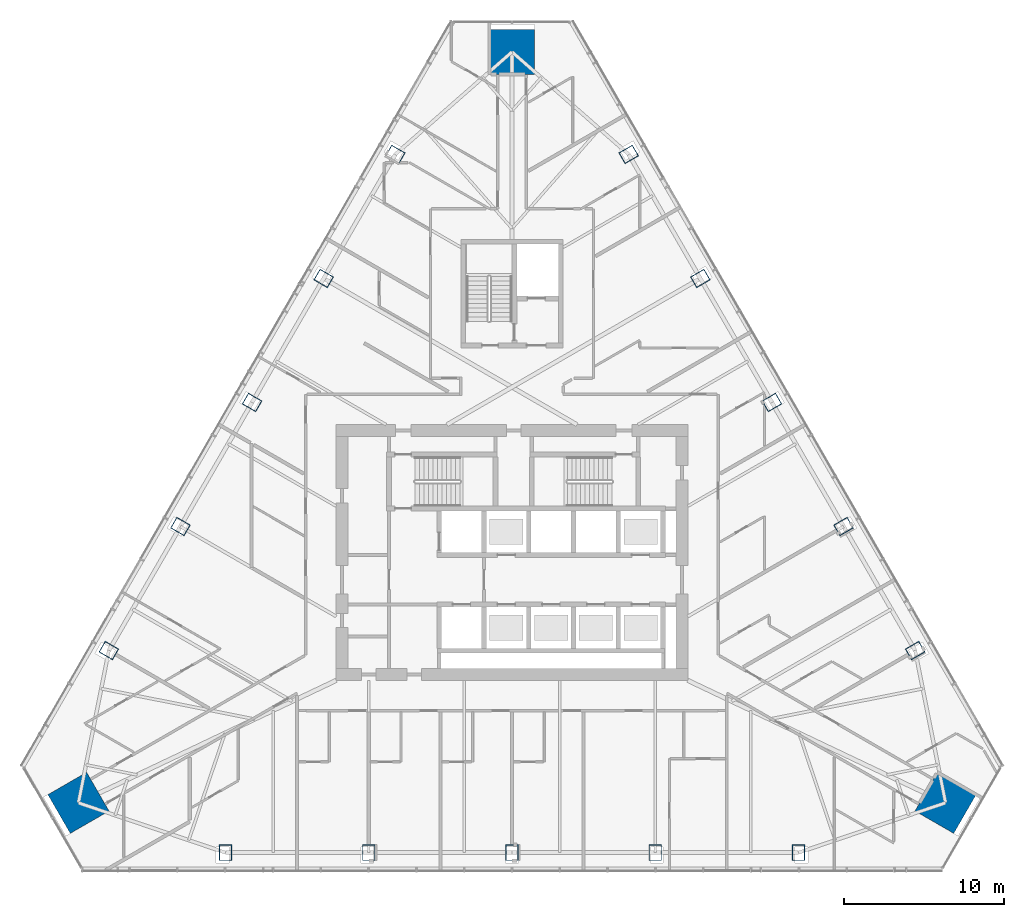
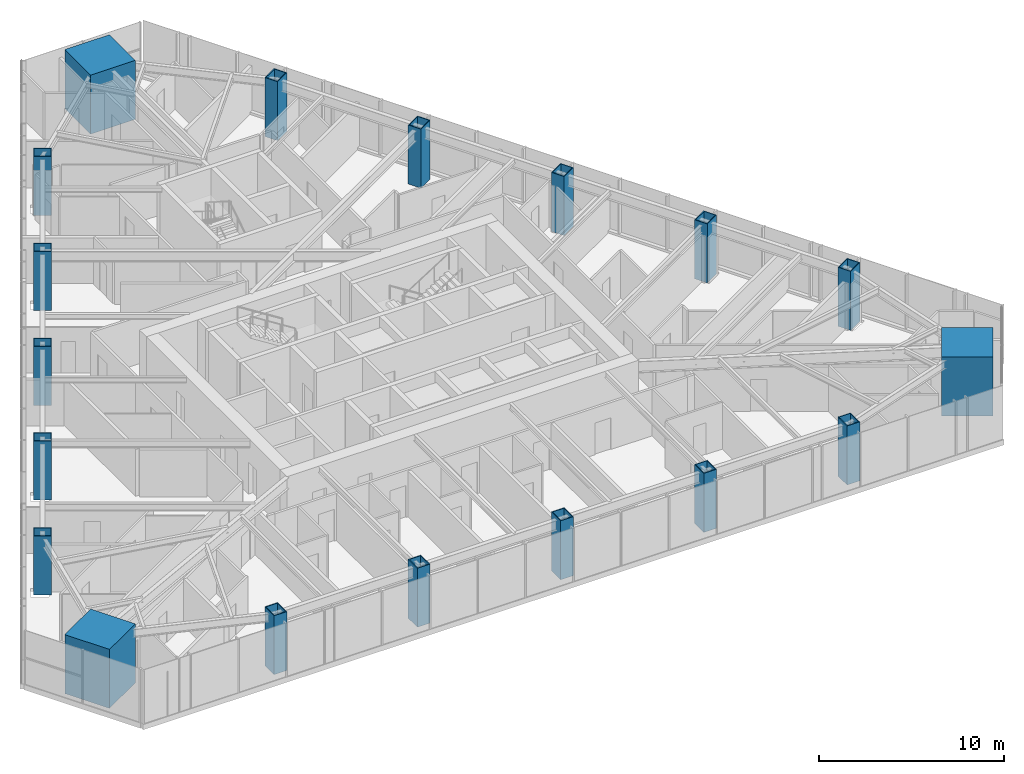
# One storey, part 1 of 21: 18 columns.
"""IFC4 building model written with IfcOpenShell, lengths in metres."""

from ifc_helpers import new_model, si_unit, direction, frame, origin, origin_2d, place, context, subcontext, project, spatial, rectangle, hollow_rectangle, extrude, material, material_profile, profile_set, type_object, element, save


model = new_model("IFC4")

# Units and contexts
model_context = context("Model", 3, precision=1e-05, world=origin(), true_north=direction((0.0, 1.0)))
body_context = subcontext(model_context, "Body", "Model", "MODEL_VIEW")
ifc_project = project(units=[si_unit("LENGTHUNIT", "METRE"), si_unit("AREAUNIT", "SQUARE_METRE"), si_unit("VOLUMEUNIT", "CUBIC_METRE"), si_unit("PLANEANGLEUNIT", "RADIAN"), si_unit("MASSUNIT", "GRAM", prefix="KILO")], contexts=[model_context])

# Site, building, storey
site_placement = place(None, origin())
site = spatial("IfcSite", under=ifc_project, at=site_placement, CompositionType="ELEMENT")
building_placement = place(site_placement, origin())
building = spatial("IfcBuilding", under=site, at=building_placement, Name="Firuza Gate Tower and Library", CompositionType="ELEMENT")
storey_placement = place(building_placement, frame((0.0, 0.0, 167.5)))
storey = spatial("IfcBuildingStorey", under=building, at=storey_placement, Name="L38", CompositionType="ELEMENT", Elevation=167.5)

# Columns
ifc_material_1 = material(Name="Steel S355", Category="steel")
ifc_material_profile_1 = material_profile(ifc_material_1, hollow_rectangle(XDim=0.800048828125, YDim=1.0, WallThickness=0.050048828125, at=origin_2d()))
ifc_profile_set_1 = profile_set([ifc_material_profile_1], Name="Steel S355")
column_type_1 = type_object("IfcColumnType", Name="BU1000x800x50 Composite box column", PredefinedType="COLUMN", material=ifc_profile_set_1)
for number, where, z_axis, x_axis, name in (
    (1, (57.076171875, 56.220458984375, -0.00048828125), (0.0, 0.0, 1.0), (1.0, 0.0, 0.0), "Column S1 L38"),
    (2, (66.0380859375, 56.220458984375, -0.00048828125), (0.0, 0.0, 1.0), (1.0, 0.0, 0.0), "Column S2 L38"),
    (3, (75.0, 56.220458984375, -0.00048828125), (0.0, 0.0, 1.0), (1.0, 0.0, 0.0), "Column S3 L38"),
    (4, (83.9619140625, 56.220458984375, -0.00048828125), (0.0, 0.0, 1.0), (1.0, 0.0, 0.0), "Column S4 L38"),
    (5, (92.923828125, 56.220458984375, -0.00048828125), (0.0, 0.0, 1.0), (1.0, 0.0, 0.0), "Column S5 L38"),
    (6, (100.225341796875, 68.8671875, -0.00048828125), (0.0, 0.0, 1.0), (-0.5, 0.866025403784, 0.0), "Column E1 L38"),
    (7, (95.744384765625, 76.62841796875, -0.00048828125), (0.0, 0.0, 1.0), (-0.5, 0.866025403784, 0.0), "Column E2 L38"),
    (8, (91.263427734375, 84.3896484375, -0.00048828125), (0.0, 0.0, 1.0), (-0.5, 0.866025403784, 0.0), "Column E3 L38"),
    (9, (86.782470703125, 92.15087890625, -0.00048828125), (0.0, 0.0, 1.0), (-0.5, 0.866025403784, 0.0), "Column E4 L38"),
    (10, (82.301513671875, 99.912353515625, -0.00048828125), (0.0, 0.0, 1.0), (-0.5, 0.866025403784, 0.0), "Column E5 L38"),
    (11, (67.698486328125, 99.912353515625, -0.00048828125), (0.0, 0.0, 1.0), (-0.5, -0.866025403784, 0.0), "Column W1 L38"),
    (12, (63.217529296875, 92.15087890625, -0.00048828125), (0.0, 0.0, 1.0), (-0.5, -0.866025403784, 0.0), "Column W2 L38"),
    (13, (58.736572265625, 84.3896484375, -0.00048828125), (0.0, 0.0, 1.0), (-0.5, -0.866025403784, 0.0), "Column W3 L38"),
    (14, (54.255615234375, 76.62841796875, -0.00048828125), (0.0, 0.0, 1.0), (-0.5, -0.866025403784, 0.0), "Column W4 L38"),
    (15, (49.774658203125, 68.8671875, -0.00048828125), (0.0, 0.0, 1.0), (-0.5, -0.866025403784, 0.0), "Column W5 L38"),
):
    element("IfcColumn", number, at=place(storey_placement, frame(where, z_axis=z_axis, x_axis=x_axis)), inside=storey, type_object=column_type_1, Name=name, PredefinedType="COLUMN", context=body_context, shape_type="SweptSolid", body=[
        extrude(hollow_rectangle(XDim=0.800048828125, YDim=1.0, WallThickness=0.050048828125, at=origin_2d()), origin(), (0.0, 0.0, 1.0), 3.900390625),
    ])
ifc_material_2 = material(Name="Concrete C80/95", Category="concrete")
ifc_material_profile_2 = material_profile(ifc_material_2, rectangle(XDim=2.800048828125, YDim=2.800048828125, at=origin_2d()))
ifc_profile_set_2 = profile_set([ifc_material_profile_2], Name="Concrete C80/95")
column_type_2 = type_object("IfcColumnType", Name="Mega column 2800x2800 C80/95", PredefinedType="COLUMN", material=ifc_profile_set_2)
for number, where, z_axis, x_axis, name in (
    (16, (102.126953125, 59.338134765625, 0.0), (0.0, 0.0, 1.0), (0.5, 0.866025403784, 0.0), "Mega column SE L38"),
    (17, (75.0, 106.323486328125, 0.0), (0.0, 0.0, 1.0), (-1.0, 0.0, 0.0), "Mega column N L38"),
    (18, (47.873046875, 59.338134765625, 0.0), (0.0, 0.0, 1.0), (0.5, -0.866025403784, 0.0), "Mega column SW L38"),
):
    element("IfcColumn", number, at=place(storey_placement, frame(where, z_axis=z_axis, x_axis=x_axis)), inside=storey, type_object=column_type_2, Name=name, PredefinedType="COLUMN", context=body_context, shape_type="SweptSolid", body=[
        extrude(rectangle(XDim=2.800048828125, YDim=2.800048828125, at=origin_2d()), origin(), (0.0, 0.0, 1.0), 3.89990234375),
    ])

save(model, "model.ifc")
